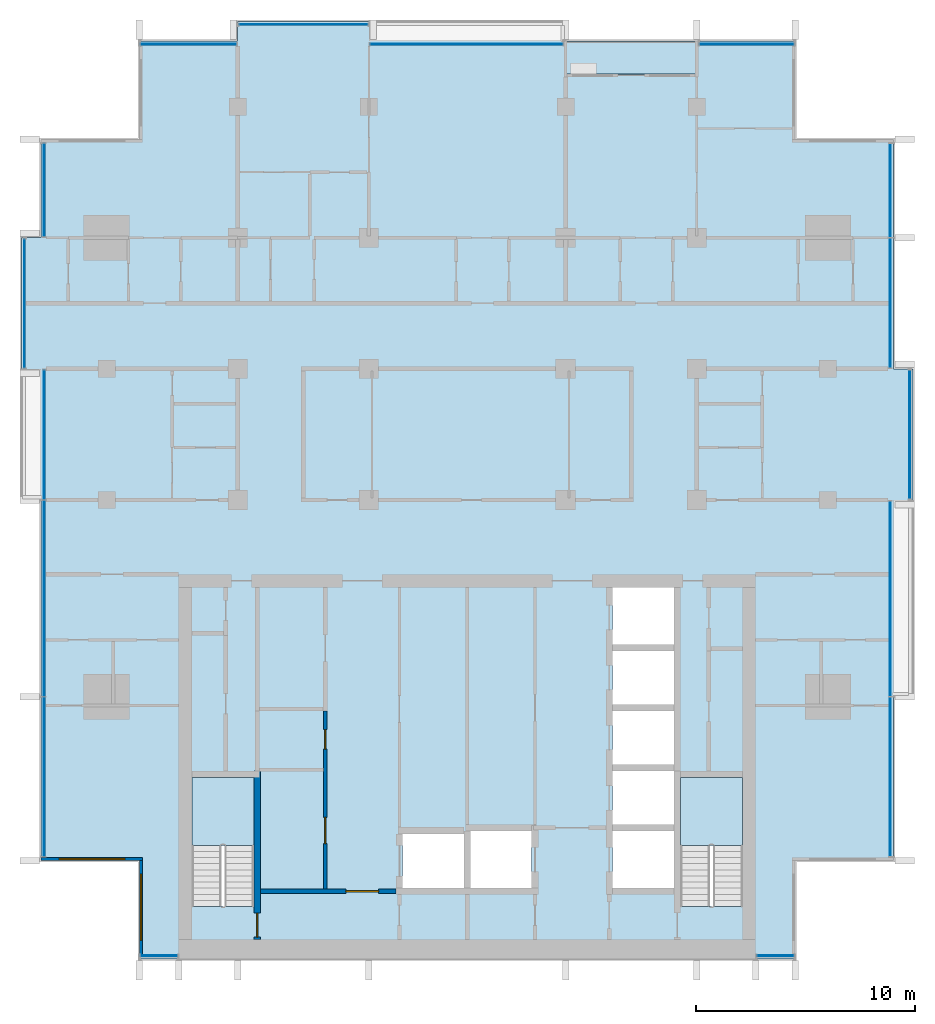
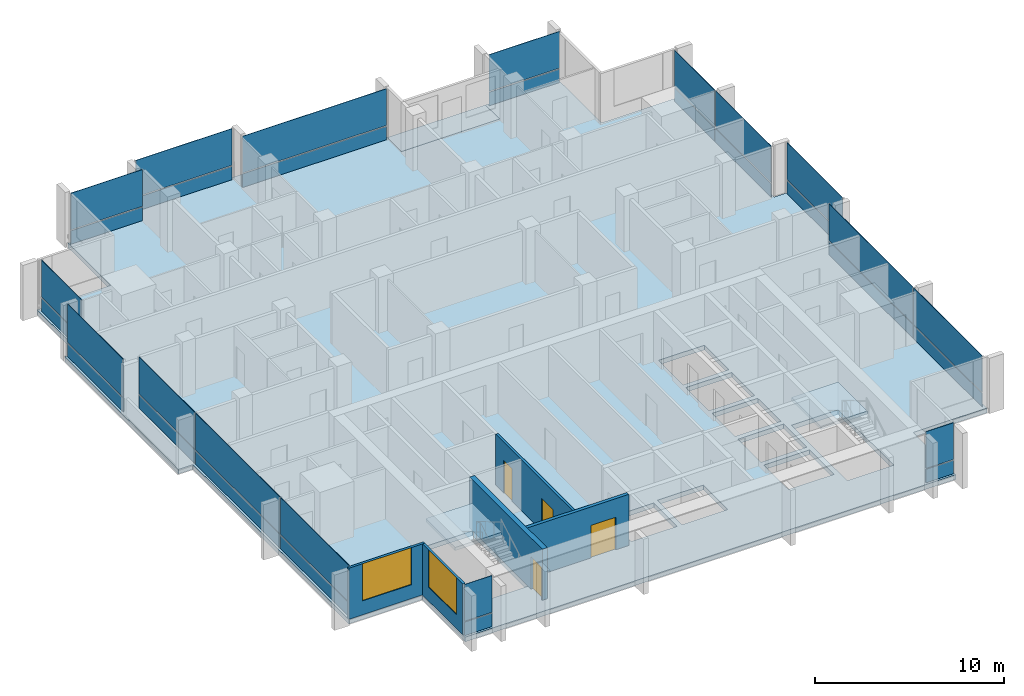
# One storey, part 6 of 16: 32 plates, 5 walls, 4 doors, 4 slabs, 2 windows, 6 openings, 14 elements without a shape of their own.
"""IFC4 building model written with IfcOpenShell, lengths in metres."""

from ifc_helpers import new_model, si_unit, direction, frame, frame_2d, origin, origin_2d, place, context, subcontext, project, spatial, polyline, rectangle, outline, extrude, material, layer, layer_set, type_object, element, fill, aggregate, save


model = new_model("IFC4")

# Units and contexts
model_context = context("Model", 3, precision=1e-05, world=origin(), true_north=direction((0.0, 1.0)))
body_context = subcontext(model_context, "Body", "Model", "MODEL_VIEW")
ifc_project = project(units=[si_unit("LENGTHUNIT", "METRE"), si_unit("AREAUNIT", "SQUARE_METRE"), si_unit("VOLUMEUNIT", "CUBIC_METRE"), si_unit("PLANEANGLEUNIT", "RADIAN"), si_unit("MASSUNIT", "GRAM", prefix="KILO")], contexts=[model_context])

# Site, building, storey
site_placement = place(None, origin())
site = spatial("IfcSite", under=ifc_project, at=site_placement, CompositionType="ELEMENT")
building_placement = place(site_placement, origin())
building = spatial("IfcBuilding", under=site, at=building_placement, Name="Finial Court Residences", CompositionType="ELEMENT")
storey_placement = place(building_placement, frame((0.0, 0.0, 219.5)))
storey = spatial("IfcBuildingStorey", under=building, at=storey_placement, Name="L55", CompositionType="ELEMENT", Elevation=219.5)

# Slab
ifc_material_1 = material(Name="Concrete C35/45", Category="concrete")
ifc_layer_1 = layer(ifc_material_1, 0.199951171875)
ifc_layer_set_1 = layer_set([ifc_layer_1], Name="Balcony slab, Concrete C35/45 200")
slab_type_1 = type_object("IfcSlabType", Name="Balcony slab, Concrete C35/45 200", PredefinedType="FLOOR", material=ifc_layer_set_1)
slab_1_placement = place(storey_placement, frame((0.0, 0.0, -0.199951171875)))
element("IfcSlab", 1, at=slab_1_placement, inside=storey, type_object=slab_type_1, Name="Balcony L55-N4", PredefinedType="FLOOR", context=body_context, shape_type="SweptSolid", body=[
    extrude(outline(polyline([(10.5, 15.0), (10.5, 16.5), (4.5, 16.5), (4.5, 15.0), (10.5, 15.0)])), origin(), (0.0, 0.0, 1.0), 0.199951171875),
])

# Curtain wall, plate
ifc_material_2 = material(Name="Bronze anodised aluminium", Category="aluminium")
curtain_wall_type = type_object("IfcCurtainWallType", Name="Unitised curtain wall, upper zones", PredefinedType="NOTDEFINED", material=ifc_material_2)
curtain_wall_1_placement = place(storey_placement, origin())
curtain_wall_1 = element("IfcCurtainWall", 2, at=curtain_wall_1_placement, inside=storey, type_object=curtain_wall_type, Name="E-L55-CW-N1", PredefinedType="NOTDEFINED")
ifc_layer_2 = layer(ifc_material_2, 0.035888671875)
ifc_layer_set_2 = layer_set([ifc_layer_2], Name="CW2 spandrel panel 36")
plate_type_1 = type_object("IfcPlateType", Name="CW2 spandrel panel 36", PredefinedType="CURTAIN_PANEL", material=ifc_layer_set_2)
plate_1_placement = place(storey_placement, frame((-12.75, 16.35009765625, 0.0), z_axis=(0.0, 0.0, 1.0), x_axis=(1.0, 0.0, 0.0)))
plate_1 = element("IfcPlate", 3, at=plate_1_placement, type_object=plate_type_1, Name="CW2 spandrel 1.1", PredefinedType="CURTAIN_PANEL", context=body_context, shape_type="SweptSolid", body=[
    extrude(rectangle(XDim=4.3798828125, YDim=0.035888671875, at=origin_2d()), origin(), (0.0, 0.0, 1.0), 0.8701171875),
])

curtain_wall_2_placement = place(storey_placement, origin())
curtain_wall_2 = element("IfcCurtainWall", 4, at=curtain_wall_2_placement, inside=storey, type_object=curtain_wall_type, Name="E-L55-CW-N2", PredefinedType="NOTDEFINED")
plate_2_placement = place(storey_placement, frame((-7.5, 17.25, 0.0), z_axis=(0.0, 0.0, 1.0), x_axis=(1.0, 0.0, 0.0)))
plate_2 = element("IfcPlate", 5, at=plate_2_placement, type_object=plate_type_1, Name="CW2 spandrel 1.1", PredefinedType="CURTAIN_PANEL", context=body_context, shape_type="SweptSolid", body=[
    extrude(rectangle(XDim=5.8798828125, YDim=0.035888671875, at=origin_2d()), origin(), (0.0, 0.0, 1.0), 0.8701171875),
])

curtain_wall_3_placement = place(storey_placement, origin())
curtain_wall_3 = element("IfcCurtainWall", 6, at=curtain_wall_3_placement, inside=storey, type_object=curtain_wall_type, Name="E-L55-CW-N3", PredefinedType="NOTDEFINED")
plate_3_placement = place(storey_placement, frame((-0.03759765625, 16.35009765625, 0.0), z_axis=(0.0, 0.0, 1.0), x_axis=(1.0, 0.0, 0.0)))
plate_3 = element("IfcPlate", 7, at=plate_3_placement, type_object=plate_type_1, Name="CW2 spandrel 1.1", PredefinedType="CURTAIN_PANEL", context=body_context, shape_type="SweptSolid", body=[
    extrude(rectangle(XDim=8.804931640625, YDim=0.035888671875, at=origin_2d()), origin(), (0.0, 0.0, 1.0), 0.8701171875),
])

curtain_wall_4_placement = place(storey_placement, origin())
curtain_wall_4 = element("IfcCurtainWall", 8, at=curtain_wall_4_placement, inside=storey, type_object=curtain_wall_type, Name="E-L55-CW-N4", PredefinedType="NOTDEFINED")
plate_4_placement = place(storey_placement, frame((12.78759765625, 16.35009765625, 0.0), z_axis=(0.0, 0.0, 1.0), x_axis=(1.0, 0.0, 0.0)))
plate_4 = element("IfcPlate", 9, at=plate_4_placement, type_object=plate_type_1, Name="CW2 spandrel 1.1", PredefinedType="CURTAIN_PANEL", context=body_context, shape_type="SweptSolid", body=[
    extrude(rectangle(XDim=4.304931640625, YDim=0.035888671875, at=origin_2d()), origin(), (0.0, 0.0, 1.0), 0.8701171875),
])

# Curtain wall, plates
curtain_wall_5_placement = place(storey_placement, origin())
curtain_wall_5 = element("IfcCurtainWall", 10, at=curtain_wall_5_placement, inside=storey, type_object=curtain_wall_type, Name="E-L55-CW-E5", PredefinedType="NOTDEFINED")
plate_5_placement = place(storey_placement, frame((19.35009765625, -17.159912109375, 0.0), z_axis=(0.0, 0.0, 1.0), x_axis=(0.0, 1.0, 0.0)))
plate_5 = element("IfcPlate", 11, at=plate_5_placement, type_object=plate_type_1, Name="CW2 spandrel 1.1", PredefinedType="CURTAIN_PANEL", context=body_context, shape_type="SweptSolid", body=[
    extrude(rectangle(XDim=7.260009765625, YDim=0.035888671875, at=origin_2d()), origin(), (0.0, 0.0, 1.0), 0.8701171875),
])
plate_6_placement = place(storey_placement, frame((19.35009765625, -9.014892578125, 0.0), z_axis=(0.0, 0.0, 1.0), x_axis=(0.0, 1.0, 0.0)))
plate_6 = element("IfcPlate", 12, at=plate_6_placement, type_object=plate_type_1, Name="CW2 spandrel 2.1", PredefinedType="CURTAIN_PANEL", context=body_context, shape_type="SweptSolid", body=[
    extrude(rectangle(XDim=8.909912109375, YDim=0.035888671875, at=origin_2d()), origin(), (0.0, 0.0, 1.0), 0.8701171875),
])

# Curtain wall, plate
curtain_wall_6_placement = place(storey_placement, origin())
curtain_wall_6 = element("IfcCurtainWall", 13, at=curtain_wall_6_placement, inside=storey, type_object=curtain_wall_type, Name="E-L55-CW-E6", PredefinedType="NOTDEFINED")
plate_7_placement = place(storey_placement, frame((20.25, -1.5, 0.0), z_axis=(0.0, 0.0, 1.0), x_axis=(0.0, 1.0, 0.0)))
plate_7 = element("IfcPlate", 14, at=plate_7_placement, type_object=plate_type_1, Name="CW2 spandrel 1.1", PredefinedType="CURTAIN_PANEL", context=body_context, shape_type="SweptSolid", body=[
    extrude(rectangle(XDim=5.8798828125, YDim=0.035888671875, at=origin_2d()), origin(), (0.0, 0.0, 1.0), 0.8701171875),
])

# Curtain wall, plates
curtain_wall_7_placement = place(storey_placement, origin())
curtain_wall_7 = element("IfcCurtainWall", 15, at=curtain_wall_7_placement, inside=storey, type_object=curtain_wall_type, Name="E-L55-CW-E7", PredefinedType="NOTDEFINED")
plate_8_placement = place(storey_placement, frame((19.35009765625, 4.514892578125, 0.0), z_axis=(0.0, 0.0, 1.0), x_axis=(0.0, 1.0, 0.0)))
plate_8 = element("IfcPlate", 16, at=plate_8_placement, type_object=plate_type_1, Name="CW2 spandrel 1.1", PredefinedType="CURTAIN_PANEL", context=body_context, shape_type="SweptSolid", body=[
    extrude(rectangle(XDim=5.909912109375, YDim=0.035888671875, at=origin_2d()), origin(), (0.0, 0.0, 1.0), 0.8701171875),
])
plate_9_placement = place(storey_placement, frame((19.35009765625, 9.659912109375, 0.0), z_axis=(0.0, 0.0, 1.0), x_axis=(0.0, 1.0, 0.0)))
plate_9 = element("IfcPlate", 17, at=plate_9_placement, type_object=plate_type_1, Name="CW2 spandrel 2.1", PredefinedType="CURTAIN_PANEL", context=body_context, shape_type="SweptSolid", body=[
    extrude(rectangle(XDim=4.260009765625, YDim=0.035888671875, at=origin_2d()), origin(), (0.0, 0.0, 1.0), 0.8701171875),
])

# Curtain wall, plate
curtain_wall_8_placement = place(storey_placement, origin())
curtain_wall_8 = element("IfcCurtainWall", 18, at=curtain_wall_8_placement, inside=storey, type_object=curtain_wall_type, Name="E-L55-CW-S8", PredefinedType="NOTDEFINED")
plate_10_placement = place(storey_placement, frame((-14.10009765625, -25.35009765625, 0.0), z_axis=(0.0, 0.0, 1.0), x_axis=(1.0, 0.0, 0.0)))
plate_10 = element("IfcPlate", 19, at=plate_10_placement, type_object=plate_type_1, Name="CW2 spandrel 1.1", PredefinedType="CURTAIN_PANEL", context=body_context, shape_type="SweptSolid", body=[
    extrude(rectangle(XDim=1.679931640625, YDim=0.035888671875, at=origin_2d()), origin(), (0.0, 0.0, 1.0), 0.8701171875),
])

curtain_wall_9_placement = place(storey_placement, origin())
curtain_wall_9 = element("IfcCurtainWall", 20, at=curtain_wall_9_placement, inside=storey, type_object=curtain_wall_type, Name="E-L55-CW-S9", PredefinedType="NOTDEFINED")
plate_11_placement = place(storey_placement, frame((14.10009765625, -25.35009765625, 0.0), z_axis=(0.0, 0.0, 1.0), x_axis=(1.0, 0.0, 0.0)))
plate_11 = element("IfcPlate", 21, at=plate_11_placement, type_object=plate_type_1, Name="CW2 spandrel 1.1", PredefinedType="CURTAIN_PANEL", context=body_context, shape_type="SweptSolid", body=[
    extrude(rectangle(XDim=1.679931640625, YDim=0.035888671875, at=origin_2d()), origin(), (0.0, 0.0, 1.0), 0.8701171875),
])

# Curtain wall, plates
curtain_wall_10_placement = place(storey_placement, origin())
curtain_wall_10 = element("IfcCurtainWall", 22, at=curtain_wall_10_placement, inside=storey, type_object=curtain_wall_type, Name="E-L55-CW-W10", PredefinedType="NOTDEFINED")
plate_12_placement = place(storey_placement, frame((-19.35009765625, -17.159912109375, 0.0), z_axis=(0.0, 0.0, 1.0), x_axis=(0.0, 1.0, 0.0)))
plate_12 = element("IfcPlate", 23, at=plate_12_placement, type_object=plate_type_1, Name="CW2 spandrel 1.1", PredefinedType="CURTAIN_PANEL", context=body_context, shape_type="SweptSolid", body=[
    extrude(rectangle(XDim=7.260009765625, YDim=0.035888671875, at=origin_2d()), origin(), (0.0, 0.0, 1.0), 0.8701171875),
])
plate_13_placement = place(storey_placement, frame((-19.35009765625, -9.0, 0.0), z_axis=(0.0, 0.0, 1.0), x_axis=(0.0, 1.0, 0.0)))
plate_13 = element("IfcPlate", 24, at=plate_13_placement, type_object=plate_type_1, Name="CW2 spandrel 2.1", PredefinedType="CURTAIN_PANEL", context=body_context, shape_type="SweptSolid", body=[
    extrude(rectangle(XDim=8.93994140625, YDim=0.035888671875, at=origin_2d()), origin(), (0.0, 0.0, 1.0), 0.8701171875),
])
plate_14_placement = place(storey_placement, frame((-19.35009765625, -1.514892578125, 0.0), z_axis=(0.0, 0.0, 1.0), x_axis=(0.0, 1.0, 0.0)))
plate_14 = element("IfcPlate", 25, at=plate_14_placement, type_object=plate_type_1, Name="CW2 spandrel 3.1", PredefinedType="CURTAIN_PANEL", context=body_context, shape_type="SweptSolid", body=[
    extrude(rectangle(XDim=5.909912109375, YDim=0.035888671875, at=origin_2d()), origin(), (0.0, 0.0, 1.0), 0.8701171875),
])

# Curtain wall, plate
curtain_wall_11_placement = place(storey_placement, origin())
curtain_wall_11 = element("IfcCurtainWall", 26, at=curtain_wall_11_placement, inside=storey, type_object=curtain_wall_type, Name="E-L55-CW-W11", PredefinedType="NOTDEFINED")
plate_15_placement = place(storey_placement, frame((-20.25, 4.5, 0.0), z_axis=(0.0, 0.0, 1.0), x_axis=(0.0, 1.0, 0.0)))
plate_15 = element("IfcPlate", 27, at=plate_15_placement, type_object=plate_type_1, Name="CW2 spandrel 1.1", PredefinedType="CURTAIN_PANEL", context=body_context, shape_type="SweptSolid", body=[
    extrude(rectangle(XDim=5.8798828125, YDim=0.035888671875, at=origin_2d()), origin(), (0.0, 0.0, 1.0), 0.8701171875),
])

curtain_wall_12_placement = place(storey_placement, origin())
curtain_wall_12 = element("IfcCurtainWall", 28, at=curtain_wall_12_placement, inside=storey, type_object=curtain_wall_type, Name="E-L55-CW-W12", PredefinedType="NOTDEFINED")
plate_16_placement = place(storey_placement, frame((-19.35009765625, 9.675048828125, 0.0), z_axis=(0.0, 0.0, 1.0), x_axis=(0.0, 1.0, 0.0)))
plate_16 = element("IfcPlate", 29, at=plate_16_placement, type_object=plate_type_1, Name="CW2 spandrel 1.1", PredefinedType="CURTAIN_PANEL", context=body_context, shape_type="SweptSolid", body=[
    extrude(rectangle(XDim=4.22998046875, YDim=0.035888671875, at=origin_2d()), origin(), (0.0, 0.0, 1.0), 0.8701171875),
])

# Plate
ifc_material_3 = material(Name="Clear low-e glass", Category="glass")
ifc_layer_3 = layer(ifc_material_3, 0.030029296875)
ifc_layer_set_3 = layer_set([ifc_layer_3], Name="CW2 vision glass 30")
plate_type_2 = type_object("IfcPlateType", Name="CW2 vision glass 30", PredefinedType="CURTAIN_PANEL", material=ifc_layer_set_3)
plate_17_placement = place(storey_placement, frame((-12.75, 16.35009765625, 0.929931640625), z_axis=(0.0, 0.0, 1.0), x_axis=(1.0, 0.0, 0.0)))
plate_17 = element("IfcPlate", 30, at=plate_17_placement, type_object=plate_type_2, Name="CW2 glass 1.2", PredefinedType="CURTAIN_PANEL", context=body_context, shape_type="SweptSolid", body=[
    extrude(rectangle(XDim=4.3798828125, YDim=0.030029296875, at=origin_2d()), origin(), (0.0, 0.0, 1.0), 2.3701171875),
])

aggregate(curtain_wall_1, [plate_1, plate_17])

plate_18_placement = place(storey_placement, frame((-7.5, 17.25, 0.929931640625), z_axis=(0.0, 0.0, 1.0), x_axis=(1.0, 0.0, 0.0)))
plate_18 = element("IfcPlate", 31, at=plate_18_placement, type_object=plate_type_2, Name="CW2 glass 1.2", PredefinedType="CURTAIN_PANEL", context=body_context, shape_type="SweptSolid", body=[
    extrude(rectangle(XDim=5.8798828125, YDim=0.030029296875, at=origin_2d()), origin(), (0.0, 0.0, 1.0), 2.3701171875),
])

aggregate(curtain_wall_2, [plate_2, plate_18])

plate_19_placement = place(storey_placement, frame((-0.03759765625, 16.35009765625, 0.929931640625), z_axis=(0.0, 0.0, 1.0), x_axis=(1.0, 0.0, 0.0)))
plate_19 = element("IfcPlate", 32, at=plate_19_placement, type_object=plate_type_2, Name="CW2 glass 1.2", PredefinedType="CURTAIN_PANEL", context=body_context, shape_type="SweptSolid", body=[
    extrude(rectangle(XDim=8.804931640625, YDim=0.030029296875, at=origin_2d()), origin(), (0.0, 0.0, 1.0), 2.3701171875),
])

aggregate(curtain_wall_3, [plate_3, plate_19])

plate_20_placement = place(storey_placement, frame((12.78759765625, 16.35009765625, 0.929931640625), z_axis=(0.0, 0.0, 1.0), x_axis=(1.0, 0.0, 0.0)))
plate_20 = element("IfcPlate", 33, at=plate_20_placement, type_object=plate_type_2, Name="CW2 glass 1.2", PredefinedType="CURTAIN_PANEL", context=body_context, shape_type="SweptSolid", body=[
    extrude(rectangle(XDim=4.304931640625, YDim=0.030029296875, at=origin_2d()), origin(), (0.0, 0.0, 1.0), 2.3701171875),
])

aggregate(curtain_wall_4, [plate_4, plate_20])

plate_21_placement = place(storey_placement, frame((19.35009765625, -17.159912109375, 0.929931640625), z_axis=(0.0, 0.0, 1.0), x_axis=(0.0, 1.0, 0.0)))
plate_21 = element("IfcPlate", 34, at=plate_21_placement, type_object=plate_type_2, Name="CW2 glass 1.2", PredefinedType="CURTAIN_PANEL", context=body_context, shape_type="SweptSolid", body=[
    extrude(rectangle(XDim=7.260009765625, YDim=0.030029296875, at=origin_2d()), origin(), (0.0, 0.0, 1.0), 2.3701171875),
])

plate_22_placement = place(storey_placement, frame((19.35009765625, -9.014892578125, 0.929931640625), z_axis=(0.0, 0.0, 1.0), x_axis=(0.0, 1.0, 0.0)))
plate_22 = element("IfcPlate", 35, at=plate_22_placement, type_object=plate_type_2, Name="CW2 glass 2.2", PredefinedType="CURTAIN_PANEL", context=body_context, shape_type="SweptSolid", body=[
    extrude(rectangle(XDim=8.909912109375, YDim=0.030029296875, at=origin_2d()), origin(), (0.0, 0.0, 1.0), 2.3701171875),
])

aggregate(curtain_wall_5, [plate_5, plate_21, plate_6, plate_22])

plate_23_placement = place(storey_placement, frame((20.25, -1.5, 0.929931640625), z_axis=(0.0, 0.0, 1.0), x_axis=(0.0, 1.0, 0.0)))
plate_23 = element("IfcPlate", 36, at=plate_23_placement, type_object=plate_type_2, Name="CW2 glass 1.2", PredefinedType="CURTAIN_PANEL", context=body_context, shape_type="SweptSolid", body=[
    extrude(rectangle(XDim=5.8798828125, YDim=0.030029296875, at=origin_2d()), origin(), (0.0, 0.0, 1.0), 2.3701171875),
])

aggregate(curtain_wall_6, [plate_7, plate_23])

plate_24_placement = place(storey_placement, frame((19.35009765625, 4.514892578125, 0.929931640625), z_axis=(0.0, 0.0, 1.0), x_axis=(0.0, 1.0, 0.0)))
plate_24 = element("IfcPlate", 37, at=plate_24_placement, type_object=plate_type_2, Name="CW2 glass 1.2", PredefinedType="CURTAIN_PANEL", context=body_context, shape_type="SweptSolid", body=[
    extrude(rectangle(XDim=5.909912109375, YDim=0.030029296875, at=origin_2d()), origin(), (0.0, 0.0, 1.0), 2.3701171875),
])

plate_25_placement = place(storey_placement, frame((19.35009765625, 9.659912109375, 0.929931640625), z_axis=(0.0, 0.0, 1.0), x_axis=(0.0, 1.0, 0.0)))
plate_25 = element("IfcPlate", 38, at=plate_25_placement, type_object=plate_type_2, Name="CW2 glass 2.2", PredefinedType="CURTAIN_PANEL", context=body_context, shape_type="SweptSolid", body=[
    extrude(rectangle(XDim=4.260009765625, YDim=0.030029296875, at=origin_2d()), origin(), (0.0, 0.0, 1.0), 2.3701171875),
])

aggregate(curtain_wall_7, [plate_8, plate_24, plate_9, plate_25])

plate_26_placement = place(storey_placement, frame((-14.10009765625, -25.35009765625, 0.929931640625), z_axis=(0.0, 0.0, 1.0), x_axis=(1.0, 0.0, 0.0)))
plate_26 = element("IfcPlate", 39, at=plate_26_placement, type_object=plate_type_2, Name="CW2 glass 1.2", PredefinedType="CURTAIN_PANEL", context=body_context, shape_type="SweptSolid", body=[
    extrude(rectangle(XDim=1.679931640625, YDim=0.030029296875, at=origin_2d()), origin(), (0.0, 0.0, 1.0), 2.3701171875),
])

aggregate(curtain_wall_8, [plate_10, plate_26])

plate_27_placement = place(storey_placement, frame((14.10009765625, -25.35009765625, 0.929931640625), z_axis=(0.0, 0.0, 1.0), x_axis=(1.0, 0.0, 0.0)))
plate_27 = element("IfcPlate", 40, at=plate_27_placement, type_object=plate_type_2, Name="CW2 glass 1.2", PredefinedType="CURTAIN_PANEL", context=body_context, shape_type="SweptSolid", body=[
    extrude(rectangle(XDim=1.679931640625, YDim=0.030029296875, at=origin_2d()), origin(), (0.0, 0.0, 1.0), 2.3701171875),
])

aggregate(curtain_wall_9, [plate_11, plate_27])

plate_28_placement = place(storey_placement, frame((-19.35009765625, -17.159912109375, 0.929931640625), z_axis=(0.0, 0.0, 1.0), x_axis=(0.0, 1.0, 0.0)))
plate_28 = element("IfcPlate", 41, at=plate_28_placement, type_object=plate_type_2, Name="CW2 glass 1.2", PredefinedType="CURTAIN_PANEL", context=body_context, shape_type="SweptSolid", body=[
    extrude(rectangle(XDim=7.260009765625, YDim=0.030029296875, at=origin_2d()), origin(), (0.0, 0.0, 1.0), 2.3701171875),
])

plate_29_placement = place(storey_placement, frame((-19.35009765625, -9.0, 0.929931640625), z_axis=(0.0, 0.0, 1.0), x_axis=(0.0, 1.0, 0.0)))
plate_29 = element("IfcPlate", 42, at=plate_29_placement, type_object=plate_type_2, Name="CW2 glass 2.2", PredefinedType="CURTAIN_PANEL", context=body_context, shape_type="SweptSolid", body=[
    extrude(rectangle(XDim=8.93994140625, YDim=0.030029296875, at=origin_2d()), origin(), (0.0, 0.0, 1.0), 2.3701171875),
])

plate_30_placement = place(storey_placement, frame((-19.35009765625, -1.514892578125, 0.929931640625), z_axis=(0.0, 0.0, 1.0), x_axis=(0.0, 1.0, 0.0)))
plate_30 = element("IfcPlate", 43, at=plate_30_placement, type_object=plate_type_2, Name="CW2 glass 3.2", PredefinedType="CURTAIN_PANEL", context=body_context, shape_type="SweptSolid", body=[
    extrude(rectangle(XDim=5.909912109375, YDim=0.030029296875, at=origin_2d()), origin(), (0.0, 0.0, 1.0), 2.3701171875),
])

aggregate(curtain_wall_10, [plate_12, plate_28, plate_13, plate_29, plate_14, plate_30])

plate_31_placement = place(storey_placement, frame((-20.25, 4.5, 0.93017578125), z_axis=(0.0, 0.0, 1.0), x_axis=(0.0, 1.0, 0.0)))
plate_31 = element("IfcPlate", 44, at=plate_31_placement, type_object=plate_type_2, Name="CW2 glass 1.2", PredefinedType="CURTAIN_PANEL", context=body_context, shape_type="SweptSolid", body=[
    extrude(rectangle(XDim=5.8798828125, YDim=0.030029296875, at=origin_2d()), origin(), (0.0, 0.0, 1.0), 2.469970703125),
])

aggregate(curtain_wall_11, [plate_15, plate_31])

plate_32_placement = place(storey_placement, frame((-19.35009765625, 9.675048828125, 0.929931640625), z_axis=(0.0, 0.0, 1.0), x_axis=(0.0, 1.0, 0.0)))
plate_32 = element("IfcPlate", 45, at=plate_32_placement, type_object=plate_type_2, Name="CW2 glass 1.2", PredefinedType="CURTAIN_PANEL", context=body_context, shape_type="SweptSolid", body=[
    extrude(rectangle(XDim=4.22998046875, YDim=0.030029296875, at=origin_2d()), origin(), (0.0, 0.0, 1.0), 2.3701171875),
])

aggregate(curtain_wall_12, [plate_16, plate_32])

# Stair, slab
ifc_material_4 = material(Name="Concrete C50/60", Category="concrete")
stair_type = type_object("IfcStairType", Name="Exit stair 22 risers of 163.6 mm", PredefinedType="HALF_TURN_STAIR", material=ifc_material_4)
stair_1_placement = place(storey_placement, origin())
stair_1 = element("IfcStair", 46, at=stair_1_placement, inside=storey, type_object=stair_type, Name="L55 Exit stair ST-1", PredefinedType="HALF_TURN_STAIR")
ifc_layer_4 = layer(ifc_material_4, 0.199951171875)
ifc_layer_set_4 = layer_set([ifc_layer_4], Name="Exit stair landing")
slab_type_2 = type_object("IfcSlabType", Name="Exit stair landing", PredefinedType="LANDING", material=ifc_layer_set_4)
slab_2_placement = place(storey_placement, frame((0.0, 0.0, 1.60009765625)))
slab_2 = element("IfcSlab", 47, at=slab_2_placement, type_object=slab_type_2, Name="ST-1 landing 1", PredefinedType="LANDING", context=body_context, shape_type="SweptSolid", body=[
    extrude(outline(polyline([(-9.75, -20.300048828125), (-9.75, -17.199951171875), (-12.60009765625, -17.199951171875), (-12.60009765625, -20.300048828125), (-9.75, -20.300048828125)])), origin(), (0.0, 0.0, 1.0), 0.199951171875),
])
aggregate(stair_1, [slab_2])

stair_2_placement = place(storey_placement, origin())
stair_2 = element("IfcStair", 48, at=stair_2_placement, inside=storey, type_object=stair_type, Name="L55 Exit stair ST-2", PredefinedType="HALF_TURN_STAIR")
slab_3_placement = place(storey_placement, frame((0.0, 0.0, 1.60009765625)))
slab_3 = element("IfcSlab", 49, at=slab_3_placement, type_object=slab_type_2, Name="ST-2 landing 1", PredefinedType="LANDING", context=body_context, shape_type="SweptSolid", body=[
    extrude(outline(polyline([(12.60009765625, -20.300048828125), (12.60009765625, -17.199951171875), (9.75, -17.199951171875), (9.75, -20.300048828125), (12.60009765625, -20.300048828125)])), origin(), (0.0, 0.0, 1.0), 0.199951171875),
])
aggregate(stair_2, [slab_3])

# Slab
ifc_material_5 = material(Name="Concrete C40/50", Category="concrete")
ifc_layer_5 = layer(ifc_material_5, 0.300048828125)
ifc_layer_set_5 = layer_set([ifc_layer_5], Name="Flat plate slab 300 Concrete C40/50")
slab_type_3 = type_object("IfcSlabType", Name="Flat plate slab 300 Concrete C40/50", PredefinedType="FLOOR", material=ifc_layer_set_5)
slab_4_placement = place(storey_placement, frame((0.0, 0.0, -0.300048828125)))
element("IfcSlab", 50, at=slab_4_placement, inside=storey, type_object=slab_type_3, Name="S:SLAB:L55", PredefinedType="FLOOR", context=body_context, shape_type="SweptSolid", body=[
    extrude(outline(polyline([(19.5, -13.5), (19.5, -21.0), (15.0, -21.0), (15.0, -25.5), (-15.0, -25.5), (-15.0, -21.0), (-19.5, -21.0), (-19.5, -4.5), (-20.39990234375, -4.5), (-20.39990234375, 1.5), (-20.39990234375, 7.5), (-19.5, 7.5), (-19.5, 12.0), (-15.0, 12.0), (-15.0, 16.5), (-10.5, 16.5), (-10.5, 17.39990234375), (-4.5, 17.39990234375), (4.5, 17.39990234375), (4.5, 16.5), (4.5, 15.0), (10.5, 15.0), (10.5, 16.5), (15.0, 16.5), (15.0, 12.0), (19.5, 12.0), (19.5, 1.5), (20.39990234375, 1.5), (20.39990234375, -4.5), (20.39990234375, -13.5), (19.5, -13.5)]), holes=[polyline([(-0.14990234375, -19.77001953125), (-2.949951171875, -19.77001953125), (-2.949951171875, -22.25), (-0.14990234375, -22.25), (-0.14990234375, -19.77001953125)]), polyline([(2.949951171875, -19.64990234375), (0.14990234375, -19.64990234375), (0.14990234375, -22.25), (2.949951171875, -22.25), (2.949951171875, -19.64990234375)]), polyline([(9.449951171875, -19.64990234375), (6.64990234375, -19.64990234375), (6.64990234375, -22.25), (9.449951171875, -22.25), (9.449951171875, -19.64990234375)]), polyline([(-12.60009765625, -17.199951171875), (-12.60009765625, -23.09912109375), (-9.75, -23.09912109375), (-9.75, -17.199951171875), (-12.60009765625, -17.199951171875)]), polyline([(9.75, -17.199951171875), (9.75, -23.09912109375), (12.60009765625, -23.09912109375), (12.60009765625, -17.199951171875), (9.75, -17.199951171875)]), polyline([(9.449951171875, -16.89990234375), (6.64990234375, -16.89990234375), (6.64990234375, -19.35009765625), (9.449951171875, -19.35009765625), (9.449951171875, -16.89990234375)]), polyline([(9.449951171875, -14.14990234375), (6.64990234375, -14.14990234375), (6.64990234375, -16.60009765625), (9.449951171875, -16.60009765625), (9.449951171875, -14.14990234375)]), polyline([(9.449951171875, -13.85009765625), (9.449951171875, -11.39990234375), (6.64990234375, -11.39990234375), (6.64990234375, -13.85009765625), (9.449951171875, -13.85009765625)]), polyline([(9.449951171875, -11.10009765625), (9.449951171875, -8.5), (6.64990234375, -8.5), (6.64990234375, -11.10009765625), (9.449951171875, -11.10009765625)])]), origin(), (0.0, 0.0, 1.0), 0.300048828125),
])

# Wall, openings, doors
ifc_material_6 = material(Name="Fire-rated gypsum board partition")
ifc_layer_6 = layer(ifc_material_6, 0.14990234375)
ifc_layer_set_6 = layer_set([ifc_layer_6], Name="Core room partition 150 EI 60")
wall_type_1 = type_object("IfcWallType", Name="Core room partition 150 EI 60", PredefinedType="PARTITIONING", material=ifc_layer_set_6)
wall_1_placement = place(storey_placement, frame((-6.5, -22.300048828125, 0.0), z_axis=(0.0, 0.0, 1.0), x_axis=(0.0, 1.0, 0.0)))
wall_1 = element("IfcWall", 51, at=wall_1_placement, inside=storey, type_object=wall_type_1, Name="Core partition L55-22", PredefinedType="PARTITIONING", context=body_context, shape_type="SweptSolid", body=[
    extrude(rectangle(XDim=8.14013671875, YDim=0.14990234375, at=frame_2d((4.070068359375, 0.0))), origin(), (0.0, 0.0, 1.0), 3.300048828125),
])
opening_1_placement = place(wall_1_placement, frame((2.080078125, 0.0, 0.0)))
opening_1 = element("IfcOpeningElement", 52, at=opening_1_placement, cuts=wall_1, Name="Opening L55-C15", PredefinedType="OPENING", context=body_context, shape_type="SweptSolid", body=[
    extrude(rectangle(XDim=1.199951171875, YDim=2.10009765625, at=frame_2d((0.60009765625, 1.050048828125))), frame((0.0, 0.0849609375, 0.0), z_axis=(0.0, -1.0, 0.0), x_axis=(1.0, 0.0, 0.0)), (0.0, 0.0, 1.0), 0.169921875),
])
opening_2_placement = place(wall_1_placement, frame((6.39990234375, 0.0, 0.0)))
opening_2 = element("IfcOpeningElement", 53, at=opening_2_placement, cuts=wall_1, Name="Opening L55-C16", PredefinedType="OPENING", context=body_context, shape_type="SweptSolid", body=[
    extrude(rectangle(XDim=0.89990234375, YDim=2.10009765625, at=frame_2d((0.449951171875, 1.050048828125))), frame((0.0, 0.0849609375, 0.0), z_axis=(0.0, -1.0, 0.0), x_axis=(1.0, 0.0, 0.0)), (0.0, 0.0, 1.0), 0.169921875),
])
ifc_material_7 = material(Name="Steel fire door", Category="steel")
door_type_1 = type_object("IfcDoorType", Name="Core room door 1200 x 2100 EI 60", OperationType="NOTDEFINED", PredefinedType="DOOR", material=ifc_material_7)
door_1_placement = place(opening_1_placement, origin())
door_1 = element("IfcDoor", 54, at=door_1_placement, inside=storey, type_object=door_type_1, Name="Core room door L55-C15", OperationType="SINGLE_SWING_LEFT", OverallHeight=2.10009765625, OverallWidth=1.199951171875, PredefinedType="DOOR", context=body_context, shape_type="SweptSolid", body=[
    extrude(rectangle(XDim=1.199951171875, YDim=2.10009765625, at=frame_2d((0.60009765625, 1.050048828125))), frame((0.0, 0.02490234375, 0.0), z_axis=(0.0, -1.0, 0.0), x_axis=(1.0, 0.0, 0.0)), (0.0, 0.0, 1.0), 0.050048828125),
])
fill(opening_1, door_1)
door_type_2 = type_object("IfcDoorType", Name="Core room door 900 x 2100 EI 60", OperationType="NOTDEFINED", PredefinedType="DOOR", material=ifc_material_7)
door_2_placement = place(opening_2_placement, origin())
door_2 = element("IfcDoor", 55, at=door_2_placement, inside=storey, type_object=door_type_2, Name="Core room door L55-C16", OperationType="SINGLE_SWING_RIGHT", OverallHeight=2.10009765625, OverallWidth=0.89990234375, PredefinedType="DOOR", context=body_context, shape_type="SweptSolid", body=[
    extrude(rectangle(XDim=0.89990234375, YDim=2.10009765625, at=frame_2d((0.449951171875, 1.050048828125))), frame((0.0, 0.02490234375, 0.0), z_axis=(0.0, -1.0, 0.0), x_axis=(1.0, 0.0, 0.0)), (0.0, 0.0, 1.0), 0.050048828125),
])
fill(opening_2, door_2)

# Wall, opening, door
ifc_material_8 = material(Name="Concrete C60/75", Category="concrete")
ifc_layer_7 = layer(ifc_material_8, 0.300048828125)
ifc_layer_set_7 = layer_set([ifc_layer_7], Name="Lift shaft and stair wall 300 Concrete C60/75")
wall_type_2 = type_object("IfcWallType", Name="Lift shaft and stair wall 300 Concrete C60/75", PredefinedType="SHEAR", material=ifc_layer_set_7)
wall_2_placement = place(storey_placement, frame((-9.60009765625, -24.60009765625, 0.0), z_axis=(0.0, 0.0, 1.0), x_axis=(0.0, 1.0, 0.0)))
wall_2 = element("IfcWall", 56, at=wall_2_placement, inside=storey, type_object=wall_type_2, Name="Core wall L55-19", PredefinedType="SHEAR", context=body_context, shape_type="SweptSolid", body=[
    extrude(rectangle(XDim=7.7001953125, YDim=0.300048828125, at=frame_2d((3.85009765625, 0.0))), origin(), (0.0, 0.0, 1.0), 3.300048828125),
])
opening_3_placement = place(wall_2_placement, frame((0.10009765625, 0.0, 0.0)))
opening_3 = element("IfcOpeningElement", 57, at=opening_3_placement, cuts=wall_2, Name="Opening L55-C19", PredefinedType="OPENING", context=body_context, shape_type="SweptSolid", body=[
    extrude(rectangle(XDim=1.10009765625, YDim=2.10009765625, at=frame_2d((0.550048828125, 1.050048828125))), frame((0.0, 0.159912109375, 0.0), z_axis=(0.0, -1.0, 0.0), x_axis=(1.0, 0.0, 0.0)), (0.0, 0.0, 1.0), 0.320068359375),
])
door_type_3 = type_object("IfcDoorType", Name="Stair door 1100 x 2100 EI 90", OperationType="NOTDEFINED", PredefinedType="DOOR", material=ifc_material_7)
door_3_placement = place(opening_3_placement, origin())
door_3 = element("IfcDoor", 58, at=door_3_placement, inside=storey, type_object=door_type_3, Name="Stair door L55-C19", OperationType="SINGLE_SWING_LEFT", OverallHeight=2.10009765625, OverallWidth=1.10009765625, PredefinedType="DOOR", context=body_context, shape_type="SweptSolid", body=[
    extrude(rectangle(XDim=1.10009765625, YDim=2.10009765625, at=frame_2d((0.550048828125, 1.050048828125))), frame((0.0, 0.02490234375, 0.0), z_axis=(0.0, -1.0, 0.0), x_axis=(1.0, 0.0, 0.0)), (0.0, 0.0, 1.0), 0.050048828125),
])
fill(opening_3, door_3)

# Wall, opening, window
ifc_material_9 = material(Name="Natural limestone", Category="masonry")
ifc_layer_8 = layer(ifc_material_9, 0.14990234375)
ifc_layer_set_8 = layer_set([ifc_layer_8], Name="Limestone clad wall 150")
wall_type_3 = type_object("IfcWallType", Name="Limestone clad wall 150", PredefinedType="SOLIDWALL", material=ifc_layer_set_8)
wall_3_placement = place(storey_placement, frame((-14.925048828125, -25.262451171875, 0.0), z_axis=(0.0, 0.0, 1.0), x_axis=(0.0, 1.0, 0.0)))
wall_3 = element("IfcWall", 59, at=wall_3_placement, inside=storey, type_object=wall_type_3, Name="E-L55-NWW13", PredefinedType="SOLIDWALL", context=body_context, shape_type="SweptSolid", body=[
    extrude(rectangle(XDim=4.262451171875, YDim=0.14990234375, at=frame_2d((2.13134765625, 0.0))), origin(), (0.0, 0.0, 1.0), 3.300048828125),
])
opening_4_placement = place(wall_3_placement, frame((0.631103515625, 0.0, 0.89990234375)))
opening_4 = element("IfcOpeningElement", 60, at=opening_4_placement, cuts=wall_3, Name="Opening WE55-01", PredefinedType="OPENING", context=body_context, shape_type="SweptSolid", body=[
    extrude(rectangle(XDim=3.0, YDim=2.39990234375, at=frame_2d((1.5, 1.199951171875))), frame((0.0, 0.0849609375, 0.0), z_axis=(0.0, -1.0, 0.0), x_axis=(1.0, 0.0, 0.0)), (0.0, 0.0, 1.0), 0.169921875),
])
window_type = type_object("IfcWindowType", Name="Corner window 3000 x 2400", PartitioningType="SINGLE_PANEL", PredefinedType="WINDOW", material=ifc_material_3)
window_1_placement = place(opening_4_placement, origin())
window_1 = element("IfcWindow", 61, at=window_1_placement, inside=storey, type_object=window_type, Name="E-L55-NWW13-W1", OverallHeight=2.39990234375, OverallWidth=3.0, PartitioningType="SINGLE_PANEL", PredefinedType="WINDOW", context=body_context, shape_type="SweptSolid", body=[
    extrude(rectangle(XDim=3.0, YDim=2.39990234375, at=frame_2d((1.5, 1.199951171875))), frame((0.0, 0.030029296875, 0.0), z_axis=(0.0, -1.0, 0.0), x_axis=(1.0, 0.0, 0.0)), (0.0, 0.0, 1.0), 0.06005859375),
])
fill(opening_4, window_1)

wall_4_placement = place(storey_placement, frame((-14.85009765625, -20.925048828125, 0.0), z_axis=(0.0, 0.0, 1.0), x_axis=(-1.0, 0.0, 0.0)))
wall_4 = element("IfcWall", 62, at=wall_4_placement, inside=storey, type_object=wall_type_3, Name="E-L55-NWS14", PredefinedType="SOLIDWALL", context=body_context, shape_type="SweptSolid", body=[
    extrude(rectangle(XDim=4.64990234375, YDim=0.14990234375, at=frame_2d((2.324951171875, 0.0))), origin(), (0.0, 0.0, 1.0), 3.300048828125),
])
opening_5_placement = place(wall_4_placement, frame((0.824951171875, 0.0, 0.89990234375)))
opening_5 = element("IfcOpeningElement", 63, at=opening_5_placement, cuts=wall_4, Name="Opening WE55-02", PredefinedType="OPENING", context=body_context, shape_type="SweptSolid", body=[
    extrude(rectangle(XDim=3.0, YDim=2.39990234375, at=frame_2d((1.5, 1.199951171875))), frame((0.0, 0.0849609375, 0.0), z_axis=(0.0, -1.0, 0.0), x_axis=(1.0, 0.0, 0.0)), (0.0, 0.0, 1.0), 0.169921875),
])
window_2_placement = place(opening_5_placement, origin())
window_2 = element("IfcWindow", 64, at=window_2_placement, inside=storey, type_object=window_type, Name="E-L55-NWS14-W1", OverallHeight=2.39990234375, OverallWidth=3.0, PartitioningType="SINGLE_PANEL", PredefinedType="WINDOW", context=body_context, shape_type="SweptSolid", body=[
    extrude(rectangle(XDim=3.0, YDim=2.39990234375, at=frame_2d((1.5, 1.199951171875))), frame((0.0, 0.030029296875, 0.0), z_axis=(0.0, -1.0, 0.0), x_axis=(1.0, 0.0, 0.0)), (0.0, 0.0, 1.0), 0.06005859375),
])
fill(opening_5, window_2)

# Wall, opening, door
ifc_layer_9 = layer(ifc_material_6, 0.199951171875)
ifc_layer_set_9 = layer_set([ifc_layer_9], Name="Stair passage wall 200 EI 180")
wall_type_4 = type_object("IfcWallType", Name="Stair passage wall 200 EI 180", PredefinedType="PARTITIONING", material=ifc_layer_set_9)
wall_5_placement = place(storey_placement, frame((-3.25, -22.39990234375, 0.0), z_axis=(0.0, 0.0, 1.0), x_axis=(-1.0, 0.0, 0.0)))
wall_5 = element("IfcWall", 65, at=wall_5_placement, inside=storey, type_object=wall_type_4, Name="Core partition L55-01", PredefinedType="PARTITIONING", context=body_context, shape_type="SweptSolid", body=[
    extrude(rectangle(XDim=6.199951171875, YDim=0.199951171875, at=frame_2d((3.10009765625, 0.0))), origin(), (0.0, 0.0, 1.0), 3.300048828125),
])
opening_6_placement = place(wall_5_placement, frame((0.800048828125, 0.0, 0.0)))
opening_6 = element("IfcOpeningElement", 66, at=opening_6_placement, cuts=wall_5, Name="Opening L55-C03", PredefinedType="OPENING", context=body_context, shape_type="SweptSolid", body=[
    extrude(rectangle(XDim=1.5, YDim=2.10009765625, at=frame_2d((0.75, 1.050048828125))), frame((0.0, 0.10986328125, 0.0), z_axis=(0.0, -1.0, 0.0), x_axis=(1.0, 0.0, 0.0)), (0.0, 0.0, 1.0), 0.219970703125),
])
door_type_4 = type_object("IfcDoorType", Name="Lift lobby door 1500 x 2100 EI 60", OperationType="DOUBLE_DOOR_SINGLE_SWING", PredefinedType="DOOR", material=ifc_material_7)
door_4_placement = place(opening_6_placement, origin())
door_4 = element("IfcDoor", 67, at=door_4_placement, inside=storey, type_object=door_type_4, Name="Lift lobby door L55-C03", OperationType="DOUBLE_DOOR_SINGLE_SWING", OverallHeight=2.10009765625, OverallWidth=1.5, PredefinedType="DOOR", context=body_context, shape_type="SweptSolid", body=[
    extrude(rectangle(XDim=1.5, YDim=2.10009765625, at=frame_2d((0.75, 1.050048828125))), frame((0.0, 0.02490234375, 0.0), z_axis=(0.0, -1.0, 0.0), x_axis=(1.0, 0.0, 0.0)), (0.0, 0.0, 1.0), 0.050048828125),
])
fill(opening_6, door_4)

save(model, "model.ifc")
